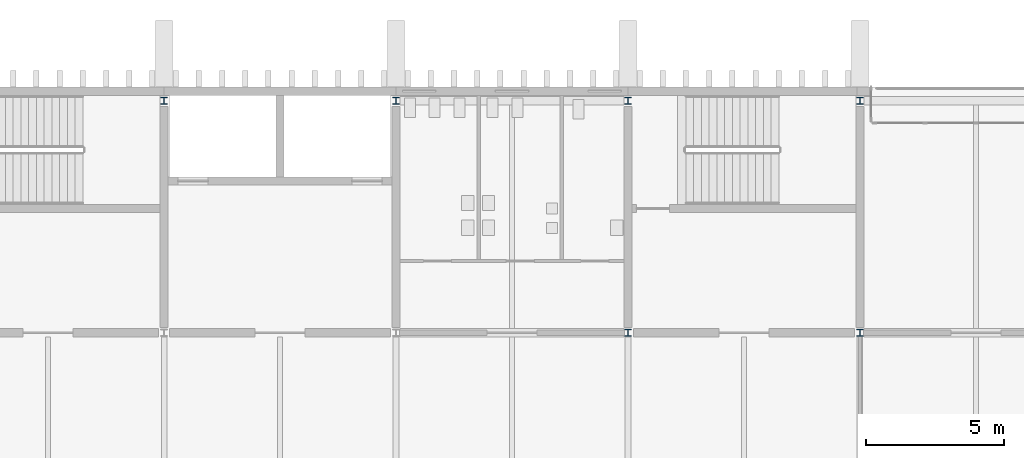
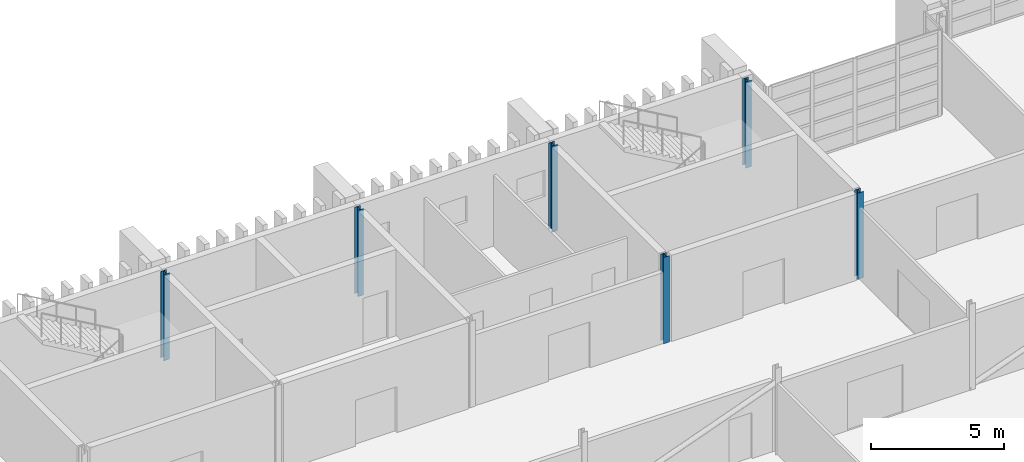
# One storey, part 4 of 88: 6 columns.
"""IFC4 building model written with IfcOpenShell, lengths in metres."""

import ifcopenshell
import ifcopenshell.guid

model = None  # the IFC model being written
_history = None  # IfcOwnerHistory: only IFC2X3 demands one
_inside = {}  # id of a spatial element -> (the spatial element, [elements in it])
_under = {}  # id of a project, library or spatial element -> (it, [spatial elements below it])
_declared = {}  # id of a project -> (the project, [libraries it declares])
_typed = {}  # id of a type object -> (the type object, [elements of that type])
_made_of = {}  # id of a material, layer set ... -> (it, [elements and type objects made of it])


def new_model(schema):
    """Start an empty IFC model of exactly this schema.

    Asked for "IFC4X3", IfcOpenShell would pick the latest addendum, in which some entities
    have other attributes; the version numbers below select the first issue.
    IFC2X3 requires an IfcOwnerHistory on every rooted entity: one is made here for all.
    """
    global model, _history
    if schema == "IFC4X3":
        model = ifcopenshell.file(schema_version=(4, 3, 0, 0))
    else:
        model = ifcopenshell.file(schema=schema)
    _inside.clear()
    _under.clear()
    _declared.clear()
    _typed.clear()
    _made_of.clear()
    _history = None
    if model.schema == "IFC2X3":
        org = make("IfcOrganization", Name="unknown")
        user = make(
            "IfcPersonAndOrganization",
            ThePerson=make("IfcPerson", FamilyName="unknown"),
            TheOrganization=org,
        )
        app = make(
            "IfcApplication",
            ApplicationDeveloper=org,
            Version="unknown",
            ApplicationFullName="unknown",
            ApplicationIdentifier="unknown",
        )
        _history = make(
            "IfcOwnerHistory",
            OwningUser=user,
            OwningApplication=app,
            ChangeAction="ADDED",
            CreationDate=0,
        )
    return model


def make(cls, **values):
    """One entity of the class cls with the attributes given. An attribute that is None is left unset."""
    return model.create_entity(
        cls, **{name: value for name, value in values.items() if value is not None}
    )


def rooted(cls, **values):
    """An entity with a GlobalId (a new one), such as an element, a storey or a relation."""
    return make(cls, GlobalId=ifcopenshell.guid.new(), OwnerHistory=_history, **values)


def si_unit(unit_type, name, prefix=None):
    """IfcSIUnit, for example si_unit("LENGTHUNIT", "METRE", prefix="MILLI")."""
    return make("IfcSIUnit", UnitType=unit_type, Prefix=prefix, Name=name)


def assignment(units):
    """IfcUnitAssignment: the units of a project."""
    return None if units is None else make("IfcUnitAssignment", Units=units)


def point(xyz):
    """IfcCartesianPoint."""
    return None if xyz is None else make("IfcCartesianPoint", Coordinates=xyz)


def direction(xyz):
    """IfcDirection."""
    return None if xyz is None else make("IfcDirection", DirectionRatios=xyz)


def frame(location, z_axis=None, x_axis=None):
    """IfcAxis2Placement3D, a coordinate frame: its origin and axes. An axis left out is left unset."""
    return make(
        "IfcAxis2Placement3D",
        Location=point(location),
        Axis=direction(z_axis),
        RefDirection=direction(x_axis),
    )


def frame_2d(location, x_axis=None):
    """IfcAxis2Placement2D, a coordinate frame in the plane: its origin and x axis."""
    return make(
        "IfcAxis2Placement2D", Location=point(location), RefDirection=direction(x_axis)
    )


def origin():
    """The frame at (0, 0, 0) with its axes left unset."""
    return frame((0.0, 0.0, 0.0))


def origin_2d():
    """The frame at (0, 0) in the plane with its x axis left unset."""
    return frame_2d((0.0, 0.0))


def place(relative_to, where):
    """IfcLocalPlacement: puts the frame where relative to a parent placement (None: the world)."""
    return make(
        "IfcLocalPlacement", PlacementRelTo=relative_to, RelativePlacement=where
    )


def context(
    kind, dimensions, precision=None, world=None, true_north=None, identifier=None
):
    """IfcGeometricRepresentationContext, for example the 3D "Model" context."""
    return make(
        "IfcGeometricRepresentationContext",
        ContextIdentifier=identifier,
        ContextType=kind,
        CoordinateSpaceDimension=dimensions,
        Precision=precision,
        WorldCoordinateSystem=world,
        TrueNorth=true_north,
    )


def subcontext(parent, identifier, kind, view, scale=None):
    """IfcGeometricRepresentationSubContext, for example "Body" below "Model"."""
    return make(
        "IfcGeometricRepresentationSubContext",
        ContextIdentifier=identifier,
        ContextType=kind,
        ParentContext=parent,
        TargetScale=scale,
        TargetView=view,
    )


def project(units=None, contexts=None):
    """IfcProject with its units and contexts."""
    return rooted(
        "IfcProject",
        Name="project",
        RepresentationContexts=contexts,
        UnitsInContext=assignment(units),
    )


def spatial(cls, under=None, at=None, **own):
    """A site, building, storey or space (cls), placed at a placement, below another one or the project."""
    s = rooted(cls, ObjectPlacement=at, **own)
    if under is not None:
        _under.setdefault(under.id(), (under, []))[1].append(s)
    return s


def profile(cls, at=None, kind="AREA", **sizes):
    """A parametric profile (cls). Its sizes go by their IFC names, for example OverallWidth=200.0."""
    return make(cls, ProfileType=kind, Position=at, **sizes)


def i_section(**sizes):
    """IfcIShapeProfileDef."""
    return profile("IfcIShapeProfileDef", **sizes)


def extrude(swept, where, along, depth):
    """IfcExtrudedAreaSolid: the profile swept, set in the frame where, extruded along a direction by depth."""
    return make(
        "IfcExtrudedAreaSolid",
        SweptArea=swept,
        Position=where,
        ExtrudedDirection=direction(along),
        Depth=depth,
    )


def shape(context_of_items, identifier, shape_type, items):
    """IfcShapeRepresentation: the items that make up one representation, for example the "Body"."""
    return make(
        "IfcShapeRepresentation",
        ContextOfItems=context_of_items,
        RepresentationIdentifier=identifier,
        RepresentationType=shape_type,
        Items=items,
    )


def material(Name=None, Category=None):
    """IfcMaterial."""
    return make("IfcMaterial", Name=Name, Category=Category)


def material_profile(
    of_material, cross_section, Name=None, Category=None, Priority=None
):
    """IfcMaterialProfile: a cross section and its material."""
    return make(
        "IfcMaterialProfile",
        Name=Name,
        Material=of_material,
        Profile=cross_section,
        Priority=Priority,
        Category=Category,
    )


def profile_set(profiles, Name=None, composite=None):
    """IfcMaterialProfileSet."""
    return make(
        "IfcMaterialProfileSet",
        Name=Name,
        MaterialProfiles=profiles,
        CompositeProfile=composite,
    )


def made_of(thing, what):
    """Note that an element or type object is made of a material, layer set ...; save() writes the relation."""
    if what is not None:
        _made_of.setdefault(what.id(), (what, []))[1].append(thing)
    return thing


def type_object(cls, material=None, **own):
    """A type object (cls), such as IfcWallType, which elements share."""
    return made_of(rooted(cls, **own), material)


def element(
    cls,
    number,
    at=None,
    inside=None,
    cuts=None,
    type_object=None,
    material=None,
    context=None,
    identifier="Body",
    shape_type=None,
    held_by="IfcProductDefinitionShape",
    body=None,
    shapes=None,
    **own,
):
    """One element of the class cls, such as IfcWall. Its Tag is "e" and its number.

    at: its placement. inside: the storey or other place that contains it. cuts: it is an
    opening in that element (IfcRelVoidsElement). A single representation is given by context,
    identifier, shape_type and body (its items); several are given by shapes. held_by: the class
    of the entity that holds the representations. save() writes the other relations.
    """
    e = rooted(cls, Tag="e%d" % number, ObjectPlacement=at, **own)
    if body is not None:
        shapes = [shape(context, identifier, shape_type, body)]
    if shapes is not None:
        e.Representation = make(held_by, Representations=shapes)
    if inside is not None:
        _inside.setdefault(inside.id(), (inside, []))[1].append(e)
    if cuts is not None:
        rooted(
            "IfcRelVoidsElement", RelatingBuildingElement=cuts, RelatedOpeningElement=e
        )
    if type_object is not None:
        _typed.setdefault(type_object.id(), (type_object, []))[1].append(e)
    return made_of(e, material)


def aggregate(whole, parts):
    """IfcRelAggregates: a whole, such as a stair, and the parts it consists of."""
    return rooted("IfcRelAggregates", RelatingObject=whole, RelatedObjects=parts)


def save(model, path):
    """Write the relations noted so far, then the file.

    IfcRelAggregates (storeys below a building ...), IfcRelContainedInSpatialStructure (elements
    in a storey), IfcRelDefinesByType, IfcRelAssociatesMaterial and IfcRelDeclares: one each for
    every whole, place, type object, material and project.
    """
    for whole, parts in _under.values():
        aggregate(whole, parts)
    for where, things in _inside.values():
        rooted(
            "IfcRelContainedInSpatialStructure",
            RelatedElements=things,
            RelatingStructure=where,
        )
    for kind, things in _typed.values():
        rooted("IfcRelDefinesByType", RelatedObjects=things, RelatingType=kind)
    for what, things in _made_of.values():
        rooted("IfcRelAssociatesMaterial", RelatedObjects=things, RelatingMaterial=what)
    for by, libraries in _declared.values():
        rooted("IfcRelDeclares", RelatingContext=by, RelatedDefinitions=libraries)
    model.write(path)


model = new_model("IFC4")

# Units and contexts
model_context = context("Model", 3, precision=1e-05, world=origin(), true_north=direction((0.0, 1.0)))
body_context = subcontext(model_context, "Body", "Model", "MODEL_VIEW")
ifc_project = project(units=[si_unit("LENGTHUNIT", "METRE"), si_unit("AREAUNIT", "SQUARE_METRE"), si_unit("VOLUMEUNIT", "CUBIC_METRE"), si_unit("PLANEANGLEUNIT", "RADIAN"), si_unit("MASSUNIT", "GRAM", prefix="KILO")], contexts=[model_context])

# Site, building, storey
site_placement = place(None, origin())
site = spatial("IfcSite", under=ifc_project, at=site_placement, CompositionType="ELEMENT")
building_placement = place(site_placement, origin())
building = spatial("IfcBuilding", under=site, at=building_placement, Name="Cresset Court Congress Hotel", CompositionType="ELEMENT")
storey_placement = place(building_placement, frame((0.0, 0.0, 14.39990234375)))
storey = spatial("IfcBuildingStorey", under=building, at=storey_placement, Name="L03", CompositionType="ELEMENT", Elevation=14.39990234375)

# Columns
ifc_material = material(Name="Structural steel Q355B", Category="steel")
ifc_material_profile = material_profile(ifc_material, i_section(OverallWidth=0.25, OverallDepth=0.25, WebThickness=0.009033203125, FlangeThickness=0.013916015625, FilletRadius=0.012939453125, at=origin_2d()), Name="HW250x250x9x14")
ifc_profile_set = profile_set([ifc_material_profile], Name="Structural steel Q355B")
column_type = type_object("IfcColumnType", Name="Steel column HW250x250x9x14", PredefinedType="COLUMN", material=ifc_profile_set)
for number, where, z_axis, x_axis, name in (
    (1, (42.0, 25.199951171875, 0.0), (0.0, 0.0, 1.0), (1.0, 0.0, 0.0), "B.col.L03.06D"),
    (2, (50.39990234375, 25.199951171875, 0.0), (0.0, 0.0, 1.0), (1.0, 0.0, 0.0), "B.col.L03.07D"),
    (3, (58.800048828125, 16.800048828125, 0.0), (0.0, 0.0, 1.0), (1.0, 0.0, 0.0), "B.col.L03.08C"),
    (4, (58.800048828125, 25.199951171875, 0.0), (0.0, 0.0, 1.0), (1.0, 0.0, 0.0), "B.col.L03.08D"),
    (5, (67.199951171875, 16.800048828125, 0.0), (0.0, 0.0, 1.0), (1.0, 0.0, 0.0), "B.col.L03.09C"),
    (6, (67.199951171875, 25.199951171875, 0.0), (0.0, 0.0, 1.0), (1.0, 0.0, 0.0), "B.col.L03.09D"),
):
    element("IfcColumn", number, at=place(storey_placement, frame(where, z_axis=z_axis, x_axis=x_axis)), inside=storey, type_object=column_type, Name=name, PredefinedType="COLUMN", context=body_context, shape_type="SweptSolid", body=[
        extrude(i_section(OverallWidth=0.25, OverallDepth=0.25, WebThickness=0.009033203125, FlangeThickness=0.013916015625, FilletRadius=0.012939453125, at=origin_2d()), origin(), (0.0, 0.0, 1.0), 3.9501953125),
    ])

save(model, "model.ifc")
